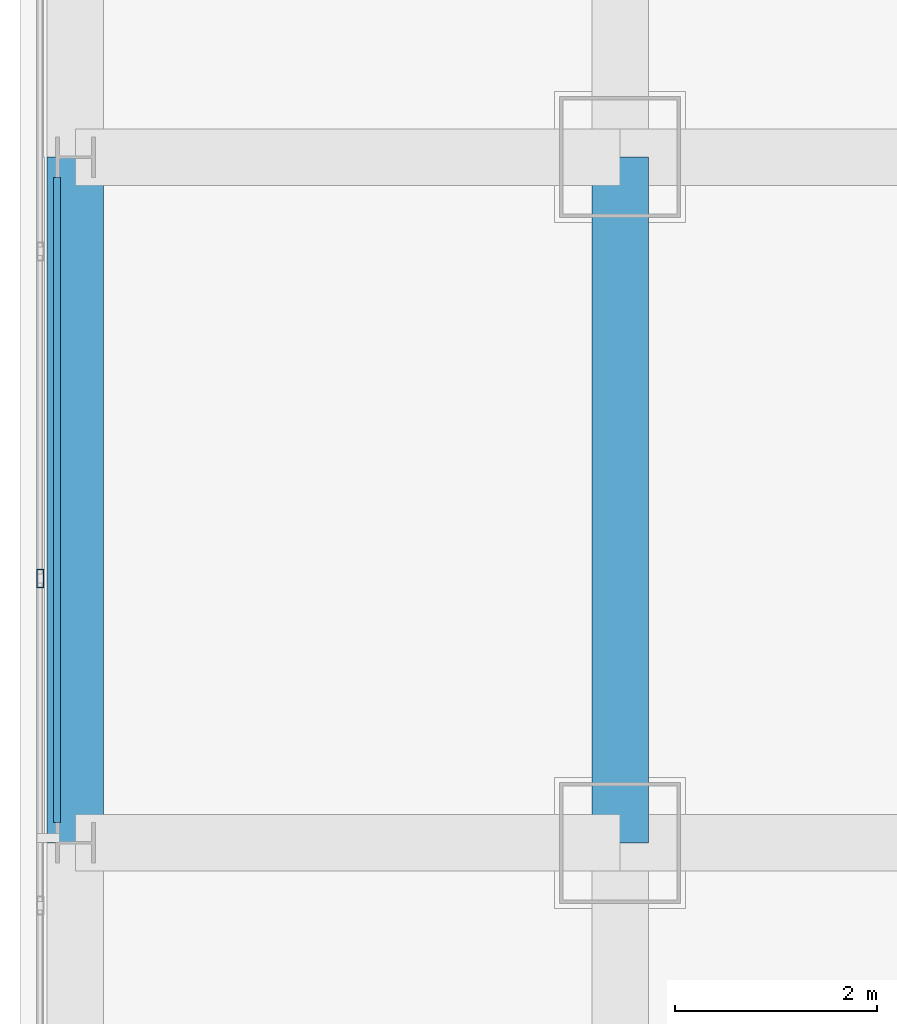
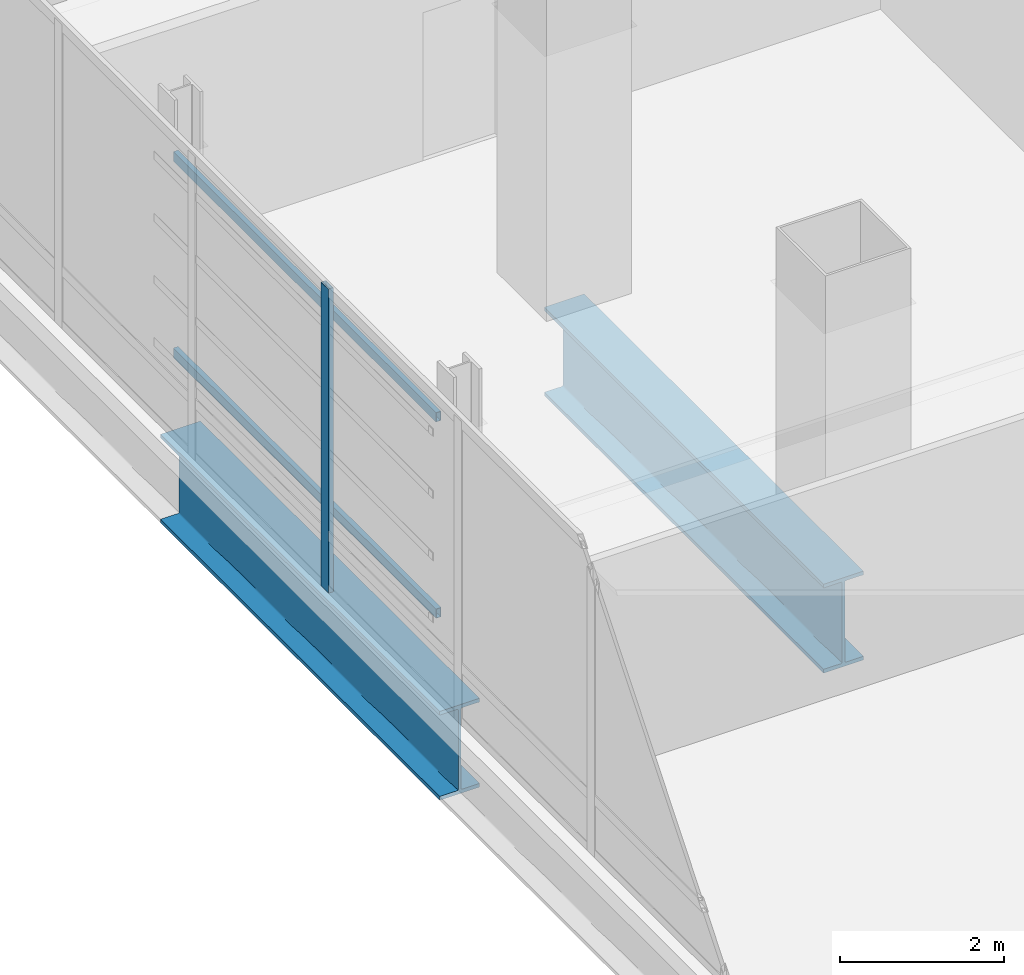
# One storey, part 12 of 45: 3 members, 2 beams, 1 element without a shape of its own.
"""IFC4 building model written with IfcOpenShell, lengths in metres."""

from ifc_helpers import new_model, si_unit, direction, frame, origin, origin_2d, place, context, subcontext, project, spatial, hollow_rectangle, i_section, extrude, material, material_profile, profile_set, type_object, element, aggregate, save


model = new_model("IFC4")

# Units and contexts
model_context = context("Model", 3, precision=1e-05, world=origin(), true_north=direction((0.0, 1.0)))
body_context = subcontext(model_context, "Body", "Model", "MODEL_VIEW")
ifc_project = project(units=[si_unit("LENGTHUNIT", "METRE"), si_unit("AREAUNIT", "SQUARE_METRE"), si_unit("VOLUMEUNIT", "CUBIC_METRE"), si_unit("PLANEANGLEUNIT", "RADIAN"), si_unit("MASSUNIT", "GRAM", prefix="KILO")], contexts=[model_context])

# Site, building, storey
site_placement = place(None, origin())
site = spatial("IfcSite", under=ifc_project, at=site_placement, CompositionType="ELEMENT")
building_placement = place(site_placement, origin())
building = spatial("IfcBuilding", under=site, at=building_placement, Name="Punatoya Terracotta Tower", CompositionType="ELEMENT")
storey_placement = place(building_placement, frame((0.0, 0.0, 339.0)))
storey = spatial("IfcBuildingStorey", under=building, at=storey_placement, Name="L80", CompositionType="ELEMENT", Elevation=339.0)

# Beams
ifc_material_1 = material(Name="Steel S460", Category="steel")
ifc_material_profile_1 = material_profile(ifc_material_1, i_section(OverallWidth=0.56005859375, OverallDepth=1.320068359375, WebThickness=0.035888671875, FlangeThickness=0.054931640625, FilletRadius=0.01806640625, at=origin_2d()))
ifc_profile_set_1 = profile_set([ifc_material_profile_1], Name="Steel S460")
beam_type = type_object("IfcBeamType", Name="BM-TG-BLK", PredefinedType="BEAM", material=ifc_profile_set_1)
for number, where, z_axis, x_axis, name in (
    (1, (-19.10009765625, -3.39990234375, -0.919921875), (0.0, 1.0, 0.0), (-1.0, 0.0, 0.0), "BM-L80-RG-W2"),
    (2, (-24.5, -3.39990234375, -0.919921875), (0.0, 1.0, 0.0), (-1.0, 0.0, 0.0), "BM-L80-PER-W2"),
):
    element("IfcBeam", number, at=place(storey_placement, frame(where, z_axis=z_axis, x_axis=x_axis)), inside=storey, type_object=beam_type, Name=name, PredefinedType="BEAM", context=body_context, shape_type="SweptSolid", body=[
        extrude(i_section(OverallWidth=0.56005859375, OverallDepth=1.320068359375, WebThickness=0.035888671875, FlangeThickness=0.054931640625, FilletRadius=0.01806640625, at=origin_2d()), origin(), (0.0, 0.0, 1.0), 6.7998046875),
    ])

# Curtain wall, member
ifc_material_2 = material(Name="Aluminium 6063-T6 + Double Low-E Glass", Category="aluminium")
curtain_wall_type = type_object("IfcCurtainWallType", Name="CW-OBS", PredefinedType="NOTDEFINED", material=ifc_material_2)
curtain_wall_placement = place(storey_placement, origin())
curtain_wall = element("IfcCurtainWall", 3, at=curtain_wall_placement, inside=storey, type_object=curtain_wall_type, Name="L80 Curtain Wall CW-L80-W13-1", PredefinedType="NOTDEFINED")
ifc_material_3 = material(Name="Aluminium 6063-T6", Category="aluminium")
ifc_material_profile_2 = material_profile(ifc_material_3, hollow_rectangle(XDim=0.070068359375, YDim=0.179931640625, WallThickness=0.00390625, at=origin_2d()))
ifc_profile_set_2 = profile_set([ifc_material_profile_2], Name="Aluminium 6063-T6")
member_type_1 = type_object("IfcMemberType", Name="CW-MUL-M3", PredefinedType="MULLION", material=ifc_profile_set_2)
member_placement = place(storey_placement, frame((-24.85009765625, -0.778564453125, 0.0), z_axis=(0.0, 0.0, 1.0), x_axis=(1.0, 0.0, 0.0)))
member = element("IfcMember", 4, at=member_placement, type_object=member_type_1, Name="CW-L80-W13-1 Mullion 05", PredefinedType="MULLION", context=body_context, shape_type="SweptSolid", body=[
    extrude(hollow_rectangle(XDim=0.070068359375, YDim=0.179931640625, WallThickness=0.00390625, at=origin_2d()), origin(), (0.0, 0.0, 1.0), 4.52001953125),
])
aggregate(curtain_wall, [member])

# Members
ifc_material_4 = material(Name="Steel S355", Category="steel")
ifc_material_profile_3 = material_profile(ifc_material_4, hollow_rectangle(XDim=0.070068359375, YDim=0.139892578125, WallThickness=0.006103515625, at=origin_2d()))
ifc_profile_set_3 = profile_set([ifc_material_profile_3], Name="Steel S355")
member_type_2 = type_object("IfcMemberType", Name="MEM-BAG-RAIL", PredefinedType="USERDEFINED", material=ifc_profile_set_3)
for number, where, z_axis, x_axis, name in (
    (5, (-24.681396484375, -3.199951171875, 1.050048828125), (0.0, 1.0, 0.0), (-1.0, 0.0, 0.0), "L80 Terracotta Baguette Carrier Rail BAG-L80-W-R1"),
    (6, (-24.681396484375, -3.199951171875, 3.969970703125), (0.0, 1.0, 0.0), (-1.0, 0.0, 0.0), "L80 Terracotta Baguette Carrier Rail BAG-L80-W-R2"),
):
    element("IfcMember", number, at=place(storey_placement, frame(where, z_axis=z_axis, x_axis=x_axis)), inside=storey, type_object=member_type_2, Name=name, ObjectType="BAGUETTE", PredefinedType="USERDEFINED", context=body_context, shape_type="SweptSolid", body=[
        extrude(hollow_rectangle(XDim=0.070068359375, YDim=0.139892578125, WallThickness=0.006103515625, at=origin_2d()), origin(), (0.0, 0.0, 1.0), 6.39990234375),
    ])

save(model, "model.ifc")
